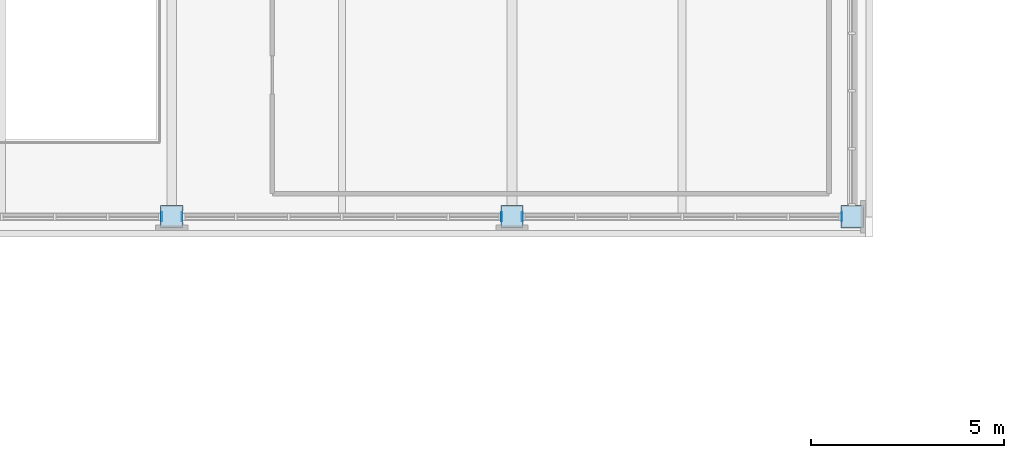
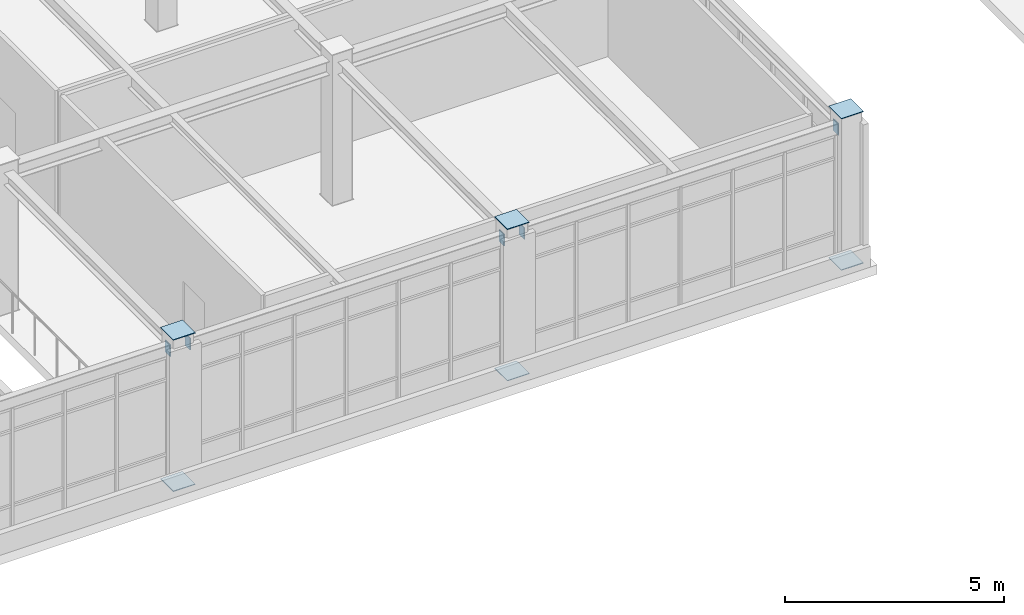
# One storey, part 48 of 88: 11 plates.
"""IFC4 building model written with IfcOpenShell, lengths in metres."""

from ifc_helpers import new_model, si_unit, direction, frame, origin, origin_2d, place, context, subcontext, project, spatial, rectangle, extrude, material, layer, layer_set, type_object, element, save


model = new_model("IFC4")

# Units and contexts
model_context = context("Model", 3, precision=1e-05, world=origin(), true_north=direction((0.0, 1.0)))
body_context = subcontext(model_context, "Body", "Model", "MODEL_VIEW")
ifc_project = project(units=[si_unit("LENGTHUNIT", "METRE"), si_unit("AREAUNIT", "SQUARE_METRE"), si_unit("VOLUMEUNIT", "CUBIC_METRE"), si_unit("PLANEANGLEUNIT", "RADIAN"), si_unit("MASSUNIT", "GRAM", prefix="KILO")], contexts=[model_context])

# Site, building, storey
site_placement = place(None, origin())
site = spatial("IfcSite", under=ifc_project, at=site_placement, CompositionType="ELEMENT")
building_placement = place(site_placement, origin())
building = spatial("IfcBuilding", under=site, at=building_placement, Name="Zhaolan Boulevard Law Courts", CompositionType="ELEMENT")
storey_placement = place(building_placement, frame((0.0, 0.0, 16.199951171875)))
storey = spatial("IfcBuildingStorey", under=building, at=storey_placement, Name="L03", CompositionType="ELEMENT", Elevation=16.199951171875)

# Plates
ifc_material = material(Name="Structural steel Q355B", Category="steel")
ifc_layer = layer(ifc_material, 0.02001953125)
ifc_layer_set = layer_set([ifc_layer])
plate_type = type_object("IfcPlateType", Name="END CAP PLATE 20", PredefinedType="SHEET", material=ifc_layer_set)
for number, where, z_axis, x_axis, name in (
    (1, (26.39990234375, 30.0, -0.01806640625), (0.0, 0.0, 1.0), (1.0, 0.0, 0.0), "Hollow Section End-Cap Plate ECP-0323"),
    (2, (26.39990234375, 30.0, 4.197998046875), (0.0, 0.0, 1.0), (1.0, 0.0, 0.0), "Hollow Section End-Cap Plate ECP-0324"),
    (3, (35.199951171875, 30.0, -0.01806640625), (0.0, 0.0, 1.0), (1.0, 0.0, 0.0), "Hollow Section End-Cap Plate ECP-0365"),
    (4, (35.199951171875, 30.0, 4.197998046875), (0.0, 0.0, 1.0), (1.0, 0.0, 0.0), "Hollow Section End-Cap Plate ECP-0366"),
    (5, (44.0, 30.0, -0.01806640625), (0.0, 0.0, 1.0), (1.0, 0.0, 0.0), "Hollow Section End-Cap Plate ECP-0495"),
    (6, (44.0, 30.0, 4.197998046875), (0.0, 0.0, 1.0), (1.0, 0.0, 0.0), "Hollow Section End-Cap Plate ECP-0496"),
):
    element("IfcPlate", number, at=place(storey_placement, frame(where, z_axis=z_axis, x_axis=x_axis)), inside=storey, type_object=plate_type, Name=name, PredefinedType="SHEET", context=body_context, shape_type="SweptSolid", body=[
        extrude(rectangle(XDim=0.580078125, YDim=0.580078125, at=origin_2d()), origin(), (0.0, 0.0, 1.0), 0.02001953125),
    ])
for number, where, z_axis, x_axis, name in (
    (7, (26.136962890625, 30.0, 3.633056640625), (0.0, 0.0, 1.0), (1.0, 0.0, 0.0), "Hollow Section End-Cap Plate ECP-0882"),
    (8, (26.6630859375, 30.0, 3.633056640625), (0.0, 0.0, 1.0), (1.0, 0.0, 0.0), "Hollow Section End-Cap Plate ECP-0883"),
    (9, (34.93701171875, 30.0, 3.633056640625), (0.0, 0.0, 1.0), (1.0, 0.0, 0.0), "Hollow Section End-Cap Plate ECP-0884"),
    (10, (35.462890625, 30.0, 3.633056640625), (0.0, 0.0, 1.0), (1.0, 0.0, 0.0), "Hollow Section End-Cap Plate ECP-0885"),
    (11, (43.737060546875, 30.0, 3.633056640625), (0.0, 0.0, 1.0), (1.0, 0.0, 0.0), "Hollow Section End-Cap Plate ECP-0886"),
):
    element("IfcPlate", number, at=place(storey_placement, frame(where, z_axis=z_axis, x_axis=x_axis)), inside=storey, type_object=plate_type, Name=name, PredefinedType="SHEET", context=body_context, shape_type="SweptSolid", body=[
        extrude(rectangle(XDim=0.02001953125, YDim=0.22998046875, at=origin_2d()), origin(), (0.0, 0.0, 1.0), 0.330078125),
    ])

save(model, "model.ifc")
